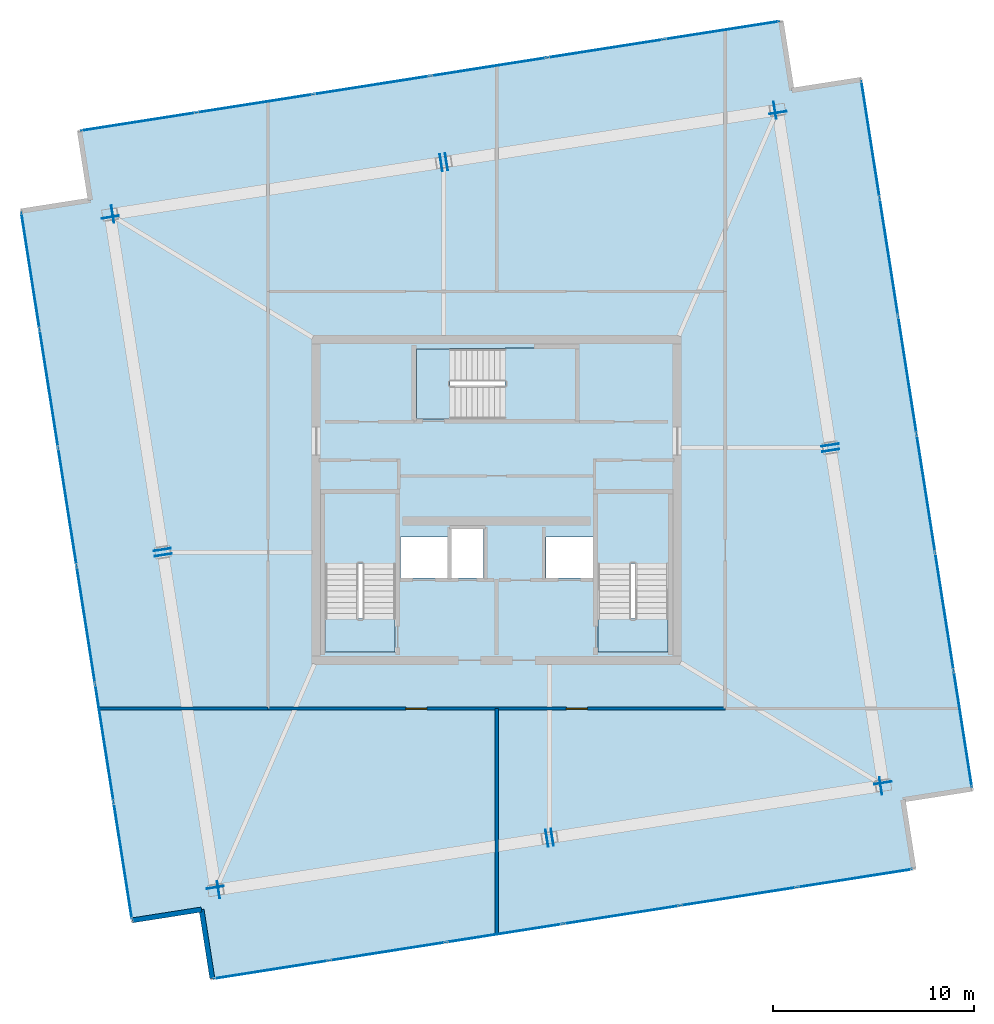
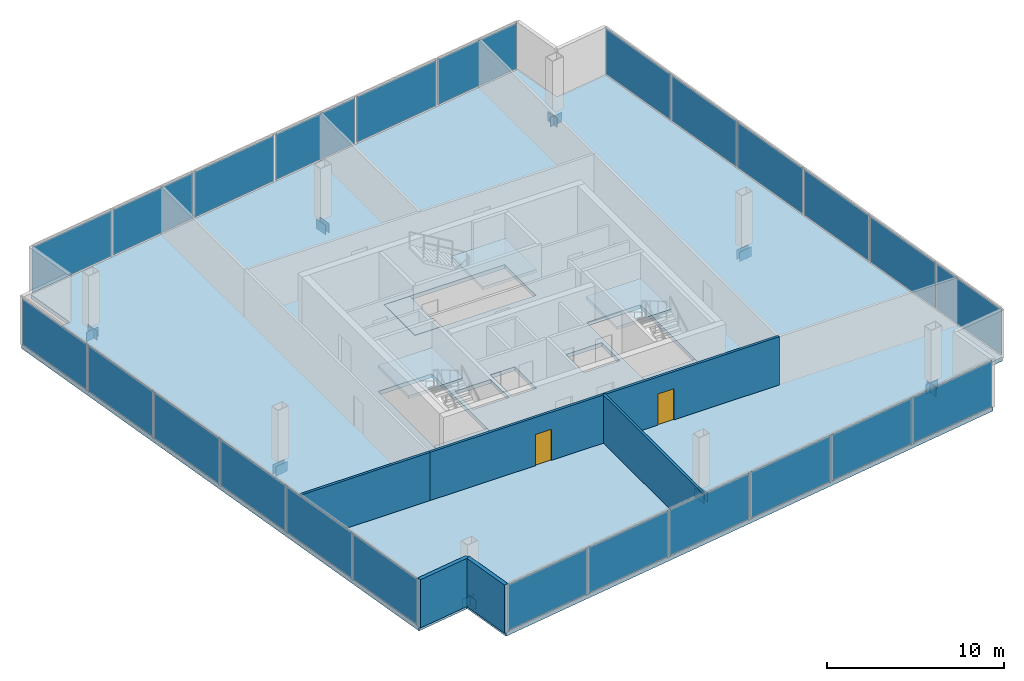
# One storey, part 14 of 17: 40 plates, 7 slabs, 5 walls, 2 doors, 2 openings, 7 elements without a shape of their own.
"""IFC4 building model written with IfcOpenShell, lengths in metres."""

from ifc_helpers import new_model, si_unit, direction, frame, frame_2d, origin, origin_2d, place, context, subcontext, project, spatial, polyline, rectangle, outline, extrude, source, transform, mapped, material, layer, layer_set, type_object, element, fill, aggregate, save


model = new_model("IFC4")

# Units and contexts
model_context = context("Model", 3, precision=1e-05, world=origin(), true_north=direction((0.0, 1.0)))
body_context = subcontext(model_context, "Body", "Model", "MODEL_VIEW")
ifc_project = project(units=[si_unit("LENGTHUNIT", "METRE"), si_unit("AREAUNIT", "SQUARE_METRE"), si_unit("VOLUMEUNIT", "CUBIC_METRE"), si_unit("PLANEANGLEUNIT", "RADIAN"), si_unit("MASSUNIT", "GRAM", prefix="KILO")], contexts=[model_context])

# Site, building, storey
site_placement = place(None, origin())
site = spatial("IfcSite", under=ifc_project, at=site_placement, CompositionType="ELEMENT")
building_placement = place(site_placement, origin())
building = spatial("IfcBuilding", under=site, at=building_placement, Name="Haldenkirk Collegiate Tower", CompositionType="ELEMENT")
storey_placement = place(building_placement, frame((0.0, 0.0, 367.800048828125)))
storey = spatial("IfcBuildingStorey", under=building, at=storey_placement, Name="L93", CompositionType="ELEMENT", Elevation=367.800048828125)

# Slab
ifc_material_1 = material(Name="Concrete f'c 40 MPa", Category="concrete")
ifc_layer_1 = layer(ifc_material_1, 0.27001953125)
ifc_layer_set_1 = layer_set([ifc_layer_1], Name="Concrete f'c 40 MPa")
slab_type_1 = type_object("IfcSlabType", Name="SLB-FLR-270", PredefinedType="FLOOR", material=ifc_layer_set_1)
slab_1_placement = place(storey_placement, frame((0.0, 0.0, -0.27001953125)))
element("IfcSlab", 1, at=slab_1_placement, inside=storey, type_object=slab_type_1, Name="L93 composite structural floor slab", PredefinedType="FLOOR", context=body_context, shape_type="SweptSolid", body=[
    extrude(outline(polyline([(59.714111328125, 11.595458984375), (54.17529296875, 46.96435546875), (50.717529296875, 46.4228515625), (50.176025390625, 49.880615234375), (15.202392578125, 44.404052734375), (15.743896484375, 40.946044921875), (12.285888671875, 40.404541015625), (17.82470703125, 5.03564453125), (21.282470703125, 5.5771484375), (21.823974609375, 2.119384765625), (56.797607421875, 7.595947265625), (56.256103515625, 11.053955078125), (59.714111328125, 11.595458984375)]), holes=[polyline([(27.449951171875, 18.39990234375), (30.949951171875, 18.39990234375), (30.949951171875, 26.300048828125), (27.449951171875, 26.300048828125), (27.449951171875, 18.39990234375)]), polyline([(41.050048828125, 18.39990234375), (44.550048828125, 18.39990234375), (44.550048828125, 26.300048828125), (41.050048828125, 26.300048828125), (41.050048828125, 18.39990234375)]), polyline([(32.0, 30.050048828125), (39.89990234375, 30.050048828125), (39.89990234375, 33.550048828125), (32.0, 33.550048828125), (32.0, 30.050048828125)]), polyline([(33.75, 22.10009765625), (35.35009765625, 22.10009765625), (35.35009765625, 24.550048828125), (33.75, 24.550048828125), (33.75, 22.10009765625)]), polyline([(31.199951171875, 22.10009765625), (33.550048828125, 22.10009765625), (33.550048828125, 24.14990234375), (31.199951171875, 24.14990234375), (31.199951171875, 22.10009765625)]), polyline([(38.449951171875, 22.10009765625), (40.800048828125, 22.10009765625), (40.800048828125, 24.14990234375), (38.449951171875, 24.14990234375), (38.449951171875, 22.10009765625)])]), origin(), (0.0, 0.0, 1.0), 0.27001953125),
])

# Stair, slab
stair_type = type_object("IfcStairType", Name="STR-DOGLEG-1650", PredefinedType="HALF_TURN_STAIR", material=ifc_material_1)
stair_1_placement = place(storey_placement, origin())
stair_1 = element("IfcStair", 2, at=stair_1_placement, inside=storey, type_object=stair_type, Name="L93 Core Exit Stair ST-1", PredefinedType="HALF_TURN_STAIR")
ifc_layer_2 = layer(ifc_material_1, 0.199951171875)
ifc_layer_set_2 = layer_set([ifc_layer_2], Name="Concrete f'c 40 MPa")
slab_type_2 = type_object("IfcSlabType", Name="SLB-LANDING-200", PredefinedType="LANDING", material=ifc_layer_set_2)
slab_2_placement = place(storey_placement, frame((0.0, 0.0, 1.599853515625)))
slab_2 = element("IfcSlab", 3, at=slab_2_placement, type_object=slab_type_2, Name="ST-1 landing 1", PredefinedType="LANDING", context=body_context, shape_type="SweptSolid", body=[
    extrude(outline(polyline([(30.97509765625, 22.824951171875), (27.425048828125, 22.824951171875), (27.425048828125, 26.324951171875), (30.97509765625, 26.324951171875), (30.97509765625, 22.824951171875)])), origin(), (0.0, 0.0, 1.0), 0.2001953125),
])
aggregate(stair_1, [slab_2])

stair_2_placement = place(storey_placement, origin())
stair_2 = element("IfcStair", 4, at=stair_2_placement, inside=storey, type_object=stair_type, Name="L93 Core Exit Stair ST-2", PredefinedType="HALF_TURN_STAIR")
slab_3_placement = place(storey_placement, frame((0.0, 0.0, 1.599853515625)))
slab_3 = element("IfcSlab", 5, at=slab_3_placement, type_object=slab_type_2, Name="ST-2 landing 1", PredefinedType="LANDING", context=body_context, shape_type="SweptSolid", body=[
    extrude(outline(polyline([(44.574951171875, 22.824951171875), (41.02490234375, 22.824951171875), (41.02490234375, 26.324951171875), (44.574951171875, 26.324951171875), (44.574951171875, 22.824951171875)])), origin(), (0.0, 0.0, 1.0), 0.2001953125),
])
aggregate(stair_2, [slab_3])

stair_3_placement = place(storey_placement, origin())
stair_3 = element("IfcStair", 6, at=stair_3_placement, inside=storey, type_object=stair_type, Name="L93 Core Exit Stair ST-3", PredefinedType="HALF_TURN_STAIR")
slab_4_placement = place(storey_placement, frame((0.0, 0.0, 1.599853515625)))
slab_4 = element("IfcSlab", 7, at=slab_4_placement, type_object=slab_type_2, Name="ST-3 landing 1", PredefinedType="LANDING", context=body_context, shape_type="SweptSolid", body=[
    extrude(outline(polyline([(36.425048828125, 30.02490234375), (36.425048828125, 33.574951171875), (39.925048828125, 33.574951171875), (39.925048828125, 30.02490234375), (36.425048828125, 30.02490234375)])), origin(), (0.0, 0.0, 1.0), 0.2001953125),
])
aggregate(stair_3, [slab_4])

# Slabs
ifc_layer_3 = layer(ifc_material_1, 0.25)
ifc_layer_set_3 = layer_set([ifc_layer_3], Name="Concrete f'c 40 MPa")
slab_type_3 = type_object("IfcSlabType", Name="SLB-STAIRLAND-250", PredefinedType="LANDING", material=ifc_layer_set_3)
slab_5_placement = place(storey_placement, frame((0.0, 0.0, -0.25)))
element("IfcSlab", 8, at=slab_5_placement, inside=storey, type_object=slab_type_3, Name="L93 stair ST1 structural floor landing slab", PredefinedType="LANDING", context=body_context, shape_type="SweptSolid", body=[
    extrude(outline(polyline([(27.4599609375, 18.409912109375), (30.93994140625, 18.409912109375), (30.93994140625, 20.080078125), (27.4599609375, 20.080078125), (27.4599609375, 18.409912109375)])), origin(), (0.0, 0.0, 1.0), 0.25),
])
slab_6_placement = place(storey_placement, frame((0.0, 0.0, -0.25)))
element("IfcSlab", 9, at=slab_6_placement, inside=storey, type_object=slab_type_3, Name="L93 stair ST2 structural floor landing slab", PredefinedType="LANDING", context=body_context, shape_type="SweptSolid", body=[
    extrude(outline(polyline([(41.06005859375, 18.409912109375), (44.5400390625, 18.409912109375), (44.5400390625, 20.080078125), (41.06005859375, 20.080078125), (41.06005859375, 18.409912109375)])), origin(), (0.0, 0.0, 1.0), 0.25),
])
slab_7_placement = place(storey_placement, frame((0.0, 0.0, -0.25)))
element("IfcSlab", 10, at=slab_7_placement, inside=storey, type_object=slab_type_3, Name="L93 stair ST3 structural floor landing slab", PredefinedType="LANDING", context=body_context, shape_type="SweptSolid", body=[
    extrude(outline(polyline([(32.010009765625, 30.06005859375), (33.679931640625, 30.06005859375), (33.679931640625, 33.5400390625), (32.010009765625, 33.5400390625), (32.010009765625, 30.06005859375)])), origin(), (0.0, 0.0, 1.0), 0.25),
])

# Plates
ifc_material_2 = material(Name="Steel ASTM A572 Grade 50", Category="steel")
ifc_layer_4 = layer(ifc_material_2, 0.034912109375)
ifc_layer_set_4 = layer_set([ifc_layer_4], Name="Steel ASTM A572 Grade 50")
plate_type_1 = type_object("IfcPlateType", Name="PLT-CAP-EXT-760X600", PredefinedType="USERDEFINED", material=ifc_layer_set_4)
shared_shape_1 = source(origin(), body_context, "Body", "SweptSolid", [
    extrude(rectangle(XDim=0.860107421875, YDim=0.659912109375, at=origin_2d()), origin(), (0.0, 0.0, 1.0), 0.034912109375),
])
for number, where, z_axis, x_axis, name in (
    (11, (55.26123046875, 11.913330078125, -0.670166015625), (0.154710964794, -0.987959775179, 0.0), (0.987959775179, 0.154710964794, 0.0), "L93 Crown Ring Frame perimeter girder 1 end cap plate 1"),
    (12, (52.6708984375, 28.45556640625, -0.670166015625), (-0.154710964794, 0.987959775179, 0.0), (-0.987959775179, -0.154710964794, 0.0), "L93 Crown Ring Frame perimeter girder 1 end cap plate 2"),
    (13, (52.62353515625, 28.758056640625, -0.670166015625), (0.154710964794, -0.987959775179, 0.0), (0.987959775179, 0.154710964794, 0.0), "L93 Crown Ring Frame perimeter girder 2 end cap plate 1"),
    (14, (50.032958984375, 45.30029296875, -0.670166015625), (-0.154710964794, 0.987959775179, 0.0), (-0.987959775179, -0.154710964794, 0.0), "L93 Crown Ring Frame perimeter girder 2 end cap plate 2"),
    (15, (49.858154296875, 45.427978515625, -0.670166015625), (0.987959445545, 0.154713069772, 0.0), (-0.154713069772, 0.987959445545, 0.0), "L93 Crown Ring Frame perimeter girder 3 end cap plate 1"),
    (16, (33.513427734375, 42.868408203125, -0.670166015625), (-0.987959445545, -0.154713069772, 0.0), (0.154713069772, -0.987959445545, 0.0), "L93 Crown Ring Frame perimeter girder 3 end cap plate 2"),
    (17, (33.2109375, 42.821044921875, -0.670166015625), (0.987959445545, 0.154713069772, 0.0), (-0.154713069772, 0.987959445545, 0.0), "L93 Crown Ring Frame perimeter girder 4 end cap plate 1"),
    (18, (16.866455078125, 40.261474609375, -0.670166015625), (-0.987959445545, -0.154713069772, 0.0), (0.154713069772, -0.987959445545, 0.0), "L93 Crown Ring Frame perimeter girder 4 end cap plate 2"),
    (19, (16.73876953125, 40.086669921875, -0.670166015625), (-0.154710964794, 0.987959775179, 0.0), (-0.987959775179, -0.154710964794, 0.0), "L93 Crown Ring Frame perimeter girder 5 end cap plate 1"),
    (20, (19.3291015625, 23.54443359375, -0.670166015625), (0.154710964794, -0.987959775179, 0.0), (0.987959775179, 0.154710964794, 0.0), "L93 Crown Ring Frame perimeter girder 5 end cap plate 2"),
    (21, (19.37646484375, 23.241943359375, -0.670166015625), (-0.154710964794, 0.987959775179, 0.0), (-0.987959775179, -0.154710964794, 0.0), "L93 Crown Ring Frame perimeter girder 6 end cap plate 1"),
    (22, (21.967041015625, 6.69970703125, -0.670166015625), (0.154710964794, -0.987959775179, 0.0), (0.987959775179, 0.154710964794, 0.0), "L93 Crown Ring Frame perimeter girder 6 end cap plate 2"),
    (23, (22.141845703125, 6.572021484375, -0.670166015625), (-0.987959445545, -0.154713069772, 0.0), (0.154713069772, -0.987959445545, 0.0), "L93 Crown Ring Frame perimeter girder 7 end cap plate 1"),
    (24, (38.486572265625, 9.131591796875, -0.670166015625), (0.987959445545, 0.154713069772, 0.0), (-0.154713069772, 0.987959445545, 0.0), "L93 Crown Ring Frame perimeter girder 7 end cap plate 2"),
    (25, (38.7890625, 9.178955078125, -0.670166015625), (-0.987959445545, -0.154713069772, 0.0), (0.154713069772, -0.987959445545, 0.0), "L93 Crown Ring Frame perimeter girder 8 end cap plate 1"),
    (26, (55.133544921875, 11.738525390625, -0.670166015625), (0.987959445545, 0.154713069772, 0.0), (-0.154713069772, 0.987959445545, 0.0), "L93 Crown Ring Frame perimeter girder 8 end cap plate 2"),
):
    element("IfcPlate", number, at=place(storey_placement, frame(where, z_axis=z_axis, x_axis=x_axis)), inside=storey, type_object=plate_type_1, Name=name, ObjectType="END CAP PLATE", PredefinedType="USERDEFINED", context=body_context, shape_type="MappedRepresentation", body=[
        mapped(shared_shape_1, transform((0.0, 0.0, 0.0), x_axis=(1.0, 0.0, 0.0), y_axis=(0.0, 1.0, 0.0), z_axis=(0.0, 0.0, 1.0), scale=1.0)),
    ])

# Curtain wall, plates
ifc_material_3 = material(Name="Anodised architectural bronze aluminium", Category="aluminium")
curtain_wall_type = type_object("IfcCurtainWallType", Name="CW-SYS6-CROWN", PredefinedType="USERDEFINED", material=ifc_material_3)
curtain_wall_1_placement = place(storey_placement, origin())
curtain_wall_1 = element("IfcCurtainWall", 27, at=curtain_wall_1_placement, inside=storey, type_object=curtain_wall_type, Name="L93 Closed crown ring ceramic-fritted bronze screen curtain wall", ObjectType="UNITISED CURTAIN WALL", PredefinedType="USERDEFINED")
ifc_material_4 = material(Name="Ceramic-fritted bronze triple glass", Category="glass")
ifc_layer_5 = layer(ifc_material_4, 0.0400390625)
ifc_layer_set_5 = layer_set([ifc_layer_5], Name="Ceramic-fritted bronze triple glass")
plate_type_2 = type_object("IfcPlateType", Name="CW-PNL-06", PredefinedType="CURTAIN_PANEL", material=ifc_layer_set_5)
shared_shape_2 = source(origin(), body_context, "Body", "SweptSolid", [
    extrude(rectangle(XDim=5.83154296875, YDim=0.0400390625, at=origin_2d()), origin(), (0.0, 0.0, 1.0), 3.14990234375),
])
plate_1_placement = place(storey_placement, frame((54.640380859375, 43.99462890625, 0.090087890625), z_axis=(0.0, 0.0, 1.0), x_axis=(0.154712514742, -0.987959532462, 0.0)))
plate_1 = element("IfcPlate", 28, at=plate_1_placement, type_object=plate_type_2, Name="CW-06 panel 1.1", PredefinedType="CURTAIN_PANEL", context=body_context, shape_type="MappedRepresentation", body=[
    mapped(shared_shape_2, transform((0.0, 0.0, 0.0), x_axis=(1.0, 0.0, 0.0), y_axis=(0.0, 1.0, 0.0), z_axis=(0.0, 0.0, 1.0), scale=1.0)),
])
plate_2_placement = place(storey_placement, frame((59.2490234375, 14.56494140625, 0.090087890625), z_axis=(0.0, 0.0, 1.0), x_axis=(0.154712514742, -0.987959532462, 0.0)))
plate_2 = element("IfcPlate", 29, at=plate_2_placement, type_object=plate_type_2, Name="CW-06 panel 6.1", PredefinedType="CURTAIN_PANEL", context=body_context, shape_type="MappedRepresentation", body=[
    mapped(shared_shape_2, transform((0.0, 0.0, 0.0), x_axis=(1.0, 0.0, 0.0), y_axis=(0.0, 1.0, 0.0), z_axis=(0.0, 0.0, 1.0), scale=1.0)),
])

curtain_wall_2_placement = place(storey_placement, origin())
curtain_wall_2 = element("IfcCurtainWall", 30, at=curtain_wall_2_placement, inside=storey, type_object=curtain_wall_type, Name="L93 Closed crown ring ceramic-fritted bronze screen curtain wall", ObjectType="UNITISED CURTAIN WALL", PredefinedType="USERDEFINED")
plate_3_placement = place(storey_placement, frame((17.359619140625, 8.00537109375, 0.090087890625), z_axis=(0.0, 0.0, 1.0), x_axis=(-0.154712514742, 0.987959532462, 0.0)))
plate_3 = element("IfcPlate", 31, at=plate_3_placement, type_object=plate_type_2, Name="CW-06 panel 1.1", PredefinedType="CURTAIN_PANEL", context=body_context, shape_type="MappedRepresentation", body=[
    mapped(shared_shape_2, transform((0.0, 0.0, 0.0), x_axis=(1.0, 0.0, 0.0), y_axis=(0.0, 1.0, 0.0), z_axis=(0.0, 0.0, 1.0), scale=1.0)),
])
plate_4_placement = place(storey_placement, frame((12.7509765625, 37.43505859375, 0.090087890625), z_axis=(0.0, 0.0, 1.0), x_axis=(-0.154712514742, 0.987959532462, 0.0)))
plate_4 = element("IfcPlate", 32, at=plate_4_placement, type_object=plate_type_2, Name="CW-06 panel 6.1", PredefinedType="CURTAIN_PANEL", context=body_context, shape_type="MappedRepresentation", body=[
    mapped(shared_shape_2, transform((0.0, 0.0, 0.0), x_axis=(1.0, 0.0, 0.0), y_axis=(0.0, 1.0, 0.0), z_axis=(0.0, 0.0, 1.0), scale=1.0)),
])

# Plate
shared_shape_3 = source(origin(), body_context, "Body", "SweptSolid", [
    extrude(rectangle(XDim=5.876708984375, YDim=0.0400390625, at=origin_2d()), origin(), (0.0, 0.0, 1.0), 3.14990234375),
])
plate_5_placement = place(storey_placement, frame((55.56005859375, 38.1220703125, 0.090087890625), z_axis=(0.0, 0.0, 1.0), x_axis=(0.154712514742, -0.987959532462, 0.0)))
plate_5 = element("IfcPlate", 33, at=plate_5_placement, type_object=plate_type_2, Name="CW-06 panel 2.1", PredefinedType="CURTAIN_PANEL", context=body_context, shape_type="MappedRepresentation", body=[
    mapped(shared_shape_3, transform((0.0, 0.0, 0.0), x_axis=(1.0, 0.0, 0.0), y_axis=(0.0, 1.0, 0.0), z_axis=(0.0, 0.0, 1.0), scale=1.0)),
])

plate_6_placement = place(storey_placement, frame((56.483154296875, 32.227294921875, 0.090087890625), z_axis=(0.0, 0.0, 1.0), x_axis=(0.154712514742, -0.987959532462, 0.0)))
plate_6 = element("IfcPlate", 34, at=plate_6_placement, type_object=plate_type_2, Name="CW-06 panel 3.1", PredefinedType="CURTAIN_PANEL", context=body_context, shape_type="MappedRepresentation", body=[
    mapped(shared_shape_3, transform((0.0, 0.0, 0.0), x_axis=(1.0, 0.0, 0.0), y_axis=(0.0, 1.0, 0.0), z_axis=(0.0, 0.0, 1.0), scale=1.0)),
])

plate_7_placement = place(storey_placement, frame((57.40625, 26.33251953125, 0.090087890625), z_axis=(0.0, 0.0, 1.0), x_axis=(0.154712514742, -0.987959532462, 0.0)))
plate_7 = element("IfcPlate", 35, at=plate_7_placement, type_object=plate_type_2, Name="CW-06 panel 4.1", PredefinedType="CURTAIN_PANEL", context=body_context, shape_type="MappedRepresentation", body=[
    mapped(shared_shape_3, transform((0.0, 0.0, 0.0), x_axis=(1.0, 0.0, 0.0), y_axis=(0.0, 1.0, 0.0), z_axis=(0.0, 0.0, 1.0), scale=1.0)),
])

plate_8_placement = place(storey_placement, frame((58.329345703125, 20.437744140625, 0.090087890625), z_axis=(0.0, 0.0, 1.0), x_axis=(0.154712514742, -0.987959532462, 0.0)))
plate_8 = element("IfcPlate", 36, at=plate_8_placement, type_object=plate_type_2, Name="CW-06 panel 5.1", PredefinedType="CURTAIN_PANEL", context=body_context, shape_type="MappedRepresentation", body=[
    mapped(shared_shape_3, transform((0.0, 0.0, 0.0), x_axis=(1.0, 0.0, 0.0), y_axis=(0.0, 1.0, 0.0), z_axis=(0.0, 0.0, 1.0), scale=1.0)),
])

aggregate(curtain_wall_1, [plate_1, plate_5, plate_6, plate_7, plate_8, plate_2])

plate_9_placement = place(storey_placement, frame((16.43994140625, 13.8779296875, 0.090087890625), z_axis=(0.0, 0.0, 1.0), x_axis=(-0.154712514742, 0.987959532462, 0.0)))
plate_9 = element("IfcPlate", 37, at=plate_9_placement, type_object=plate_type_2, Name="CW-06 panel 2.1", PredefinedType="CURTAIN_PANEL", context=body_context, shape_type="MappedRepresentation", body=[
    mapped(shared_shape_3, transform((0.0, 0.0, 0.0), x_axis=(1.0, 0.0, 0.0), y_axis=(0.0, 1.0, 0.0), z_axis=(0.0, 0.0, 1.0), scale=1.0)),
])

plate_10_placement = place(storey_placement, frame((15.516845703125, 19.772705078125, 0.090087890625), z_axis=(0.0, 0.0, 1.0), x_axis=(-0.154712514742, 0.987959532462, 0.0)))
plate_10 = element("IfcPlate", 38, at=plate_10_placement, type_object=plate_type_2, Name="CW-06 panel 3.1", PredefinedType="CURTAIN_PANEL", context=body_context, shape_type="MappedRepresentation", body=[
    mapped(shared_shape_3, transform((0.0, 0.0, 0.0), x_axis=(1.0, 0.0, 0.0), y_axis=(0.0, 1.0, 0.0), z_axis=(0.0, 0.0, 1.0), scale=1.0)),
])

plate_11_placement = place(storey_placement, frame((14.59375, 25.66748046875, 0.090087890625), z_axis=(0.0, 0.0, 1.0), x_axis=(-0.154712514742, 0.987959532462, 0.0)))
plate_11 = element("IfcPlate", 39, at=plate_11_placement, type_object=plate_type_2, Name="CW-06 panel 4.1", PredefinedType="CURTAIN_PANEL", context=body_context, shape_type="MappedRepresentation", body=[
    mapped(shared_shape_3, transform((0.0, 0.0, 0.0), x_axis=(1.0, 0.0, 0.0), y_axis=(0.0, 1.0, 0.0), z_axis=(0.0, 0.0, 1.0), scale=1.0)),
])

plate_12_placement = place(storey_placement, frame((13.670654296875, 31.562255859375, 0.090087890625), z_axis=(0.0, 0.0, 1.0), x_axis=(-0.154712514742, 0.987959532462, 0.0)))
plate_12 = element("IfcPlate", 40, at=plate_12_placement, type_object=plate_type_2, Name="CW-06 panel 5.1", PredefinedType="CURTAIN_PANEL", context=body_context, shape_type="MappedRepresentation", body=[
    mapped(shared_shape_3, transform((0.0, 0.0, 0.0), x_axis=(1.0, 0.0, 0.0), y_axis=(0.0, 1.0, 0.0), z_axis=(0.0, 0.0, 1.0), scale=1.0)),
])

aggregate(curtain_wall_2, [plate_3, plate_9, plate_10, plate_11, plate_12, plate_4])

# Curtain wall, plates
curtain_wall_3_placement = place(storey_placement, origin())
curtain_wall_3 = element("IfcCurtainWall", 41, at=curtain_wall_3_placement, inside=storey, type_object=curtain_wall_type, Name="L93 Closed crown ring ceramic-fritted bronze screen curtain wall", ObjectType="UNITISED CURTAIN WALL", PredefinedType="USERDEFINED")
shared_shape_4 = source(origin(), body_context, "Body", "SweptSolid", [
    extrude(rectangle(XDim=5.764892578125, YDim=0.0400390625, at=origin_2d()), origin(), (0.0, 0.0, 1.0), 3.14990234375),
])
plate_13_placement = place(storey_placement, frame((18.138916015625, 44.86376953125, 0.090087890625), z_axis=(0.0, 0.0, 1.0), x_axis=(0.987960085646, 0.154708982189, 0.0)))
plate_13 = element("IfcPlate", 42, at=plate_13_placement, type_object=plate_type_2, Name="CW-06 panel 1.1", PredefinedType="CURTAIN_PANEL", context=body_context, shape_type="MappedRepresentation", body=[
    mapped(shared_shape_4, transform((0.0, 0.0, 0.0), x_axis=(1.0, 0.0, 0.0), y_axis=(0.0, 1.0, 0.0), z_axis=(0.0, 0.0, 1.0), scale=1.0)),
])
plate_14_placement = place(storey_placement, frame((47.239501953125, 49.4208984375, 0.090087890625), z_axis=(0.0, 0.0, 1.0), x_axis=(0.987960085646, 0.154708982189, 0.0)))
plate_14 = element("IfcPlate", 43, at=plate_14_placement, type_object=plate_type_2, Name="CW-06 panel 6.1", PredefinedType="CURTAIN_PANEL", context=body_context, shape_type="MappedRepresentation", body=[
    mapped(shared_shape_4, transform((0.0, 0.0, 0.0), x_axis=(1.0, 0.0, 0.0), y_axis=(0.0, 1.0, 0.0), z_axis=(0.0, 0.0, 1.0), scale=1.0)),
])

curtain_wall_4_placement = place(storey_placement, origin())
curtain_wall_4 = element("IfcCurtainWall", 44, at=curtain_wall_4_placement, inside=storey, type_object=curtain_wall_type, Name="L93 Closed crown ring ceramic-fritted bronze screen curtain wall", ObjectType="UNITISED CURTAIN WALL", PredefinedType="USERDEFINED")
plate_15_placement = place(storey_placement, frame((53.861083984375, 7.13623046875, 0.090087890625), z_axis=(0.0, 0.0, 1.0), x_axis=(-0.987960085646, -0.154708982189, 0.0)))
plate_15 = element("IfcPlate", 45, at=plate_15_placement, type_object=plate_type_2, Name="CW-06 panel 1.1", PredefinedType="CURTAIN_PANEL", context=body_context, shape_type="MappedRepresentation", body=[
    mapped(shared_shape_4, transform((0.0, 0.0, 0.0), x_axis=(1.0, 0.0, 0.0), y_axis=(0.0, 1.0, 0.0), z_axis=(0.0, 0.0, 1.0), scale=1.0)),
])
plate_16_placement = place(storey_placement, frame((24.760498046875, 2.5791015625, 0.090087890625), z_axis=(0.0, 0.0, 1.0), x_axis=(-0.987960085646, -0.154708982189, 0.0)))
plate_16 = element("IfcPlate", 46, at=plate_16_placement, type_object=plate_type_2, Name="CW-06 panel 6.1", PredefinedType="CURTAIN_PANEL", context=body_context, shape_type="MappedRepresentation", body=[
    mapped(shared_shape_4, transform((0.0, 0.0, 0.0), x_axis=(1.0, 0.0, 0.0), y_axis=(0.0, 1.0, 0.0), z_axis=(0.0, 0.0, 1.0), scale=1.0)),
])

# Plate
shared_shape_5 = source(origin(), body_context, "Body", "SweptSolid", [
    extrude(rectangle(XDim=5.81005859375, YDim=0.0400390625, at=origin_2d()), origin(), (0.0, 0.0, 1.0), 3.14990234375),
])
plate_17_placement = place(storey_placement, frame((23.94580078125, 45.773193359375, 0.090087890625), z_axis=(0.0, 0.0, 1.0), x_axis=(0.987960085646, 0.154708982189, 0.0)))
plate_17 = element("IfcPlate", 47, at=plate_17_placement, type_object=plate_type_2, Name="CW-06 panel 2.1", PredefinedType="CURTAIN_PANEL", context=body_context, shape_type="MappedRepresentation", body=[
    mapped(shared_shape_5, transform((0.0, 0.0, 0.0), x_axis=(1.0, 0.0, 0.0), y_axis=(0.0, 1.0, 0.0), z_axis=(0.0, 0.0, 1.0), scale=1.0)),
])

plate_18_placement = place(storey_placement, frame((29.774658203125, 46.68603515625, 0.090087890625), z_axis=(0.0, 0.0, 1.0), x_axis=(0.987960085646, 0.154708982189, 0.0)))
plate_18 = element("IfcPlate", 48, at=plate_18_placement, type_object=plate_type_2, Name="CW-06 panel 3.1", PredefinedType="CURTAIN_PANEL", context=body_context, shape_type="MappedRepresentation", body=[
    mapped(shared_shape_5, transform((0.0, 0.0, 0.0), x_axis=(1.0, 0.0, 0.0), y_axis=(0.0, 1.0, 0.0), z_axis=(0.0, 0.0, 1.0), scale=1.0)),
])

plate_19_placement = place(storey_placement, frame((35.603759765625, 47.5986328125, 0.090087890625), z_axis=(0.0, 0.0, 1.0), x_axis=(0.987960085646, 0.154708982189, 0.0)))
plate_19 = element("IfcPlate", 49, at=plate_19_placement, type_object=plate_type_2, Name="CW-06 panel 4.1", PredefinedType="CURTAIN_PANEL", context=body_context, shape_type="MappedRepresentation", body=[
    mapped(shared_shape_5, transform((0.0, 0.0, 0.0), x_axis=(1.0, 0.0, 0.0), y_axis=(0.0, 1.0, 0.0), z_axis=(0.0, 0.0, 1.0), scale=1.0)),
])

plate_20_placement = place(storey_placement, frame((41.4326171875, 48.511474609375, 0.090087890625), z_axis=(0.0, 0.0, 1.0), x_axis=(0.987960085646, 0.154708982189, 0.0)))
plate_20 = element("IfcPlate", 50, at=plate_20_placement, type_object=plate_type_2, Name="CW-06 panel 5.1", PredefinedType="CURTAIN_PANEL", context=body_context, shape_type="MappedRepresentation", body=[
    mapped(shared_shape_5, transform((0.0, 0.0, 0.0), x_axis=(1.0, 0.0, 0.0), y_axis=(0.0, 1.0, 0.0), z_axis=(0.0, 0.0, 1.0), scale=1.0)),
])

aggregate(curtain_wall_3, [plate_13, plate_17, plate_18, plate_19, plate_20, plate_14])

plate_21_placement = place(storey_placement, frame((48.05419921875, 6.226806640625, 0.090087890625), z_axis=(0.0, 0.0, 1.0), x_axis=(-0.987960085646, -0.154708982189, 0.0)))
plate_21 = element("IfcPlate", 51, at=plate_21_placement, type_object=plate_type_2, Name="CW-06 panel 2.1", PredefinedType="CURTAIN_PANEL", context=body_context, shape_type="MappedRepresentation", body=[
    mapped(shared_shape_5, transform((0.0, 0.0, 0.0), x_axis=(1.0, 0.0, 0.0), y_axis=(0.0, 1.0, 0.0), z_axis=(0.0, 0.0, 1.0), scale=1.0)),
])

plate_22_placement = place(storey_placement, frame((42.225341796875, 5.31396484375, 0.090087890625), z_axis=(0.0, 0.0, 1.0), x_axis=(-0.987960085646, -0.154708982189, 0.0)))
plate_22 = element("IfcPlate", 52, at=plate_22_placement, type_object=plate_type_2, Name="CW-06 panel 3.1", PredefinedType="CURTAIN_PANEL", context=body_context, shape_type="MappedRepresentation", body=[
    mapped(shared_shape_5, transform((0.0, 0.0, 0.0), x_axis=(1.0, 0.0, 0.0), y_axis=(0.0, 1.0, 0.0), z_axis=(0.0, 0.0, 1.0), scale=1.0)),
])

plate_23_placement = place(storey_placement, frame((36.396240234375, 4.4013671875, 0.090087890625), z_axis=(0.0, 0.0, 1.0), x_axis=(-0.987960085646, -0.154708982189, 0.0)))
plate_23 = element("IfcPlate", 53, at=plate_23_placement, type_object=plate_type_2, Name="CW-06 panel 4.1", PredefinedType="CURTAIN_PANEL", context=body_context, shape_type="MappedRepresentation", body=[
    mapped(shared_shape_5, transform((0.0, 0.0, 0.0), x_axis=(1.0, 0.0, 0.0), y_axis=(0.0, 1.0, 0.0), z_axis=(0.0, 0.0, 1.0), scale=1.0)),
])

plate_24_placement = place(storey_placement, frame((30.5673828125, 3.488525390625, 0.090087890625), z_axis=(0.0, 0.0, 1.0), x_axis=(-0.987960085646, -0.154708982189, 0.0)))
plate_24 = element("IfcPlate", 54, at=plate_24_placement, type_object=plate_type_2, Name="CW-06 panel 5.1", PredefinedType="CURTAIN_PANEL", context=body_context, shape_type="MappedRepresentation", body=[
    mapped(shared_shape_5, transform((0.0, 0.0, 0.0), x_axis=(1.0, 0.0, 0.0), y_axis=(0.0, 1.0, 0.0), z_axis=(0.0, 0.0, 1.0), scale=1.0)),
])

aggregate(curtain_wall_4, [plate_15, plate_21, plate_22, plate_23, plate_24, plate_16])

# Walls
ifc_material_5 = material(Name="Precast concrete f'c 40 MPa", Category="concrete")
ifc_layer_6 = layer(ifc_material_5, 0.25)
ifc_layer_set_6 = layer_set([ifc_layer_6], Name="Precast concrete f'c 40 MPa")
wall_type_1 = type_object("IfcWallType", Name="WL-EXT-CRN-250", PredefinedType="STANDARD", material=ifc_layer_set_6)
for number, where, z_axis, x_axis, name in (
    (55, (21.282470703125, 5.5771484375, 0.0), (0.0, 0.0, 1.0), (-0.987958443543, -0.154719468176, 0.0), "L93 crown bronze precast enclosure wall 08"),
    (56, (21.823974609375, 2.119384765625, 0.0), (0.0, 0.0, 1.0), (-0.154719468176, 0.987958443543, 0.0), "L93 crown bronze precast enclosure wall 09"),
):
    element("IfcWall", number, at=place(storey_placement, frame(where, z_axis=z_axis, x_axis=x_axis)), inside=storey, type_object=wall_type_1, Name=name, PredefinedType="STANDARD", context=body_context, shape_type="SweptSolid", body=[
        extrude(rectangle(XDim=3.5, YDim=0.25, at=frame_2d((1.75, 0.0))), origin(), (0.0, 0.0, 1.0), 3.329833984375),
    ])

# Wall, openings, doors
ifc_material_6 = material(Name="Acoustic fire-rated gypsum partition", Category="concrete")
ifc_layer_7 = layer(ifc_material_6, 0.159912109375)
ifc_layer_set_7 = layer_set([ifc_layer_7], Name="Acoustic fire-rated gypsum partition")
wall_type_2 = type_object("IfcWallType", Name="WL-INT-CORR-160", PredefinedType="PARTITIONING", material=ifc_layer_set_7)
wall_1_placement = place(storey_placement, frame((24.60009765625, 15.60009765625, 0.0), z_axis=(0.0, 0.0, 1.0), x_axis=(1.0, 0.0, 0.0)))
wall_1 = element("IfcWall", 57, at=wall_1_placement, inside=storey, type_object=wall_type_2, Name="L93 interior partition IW-L93-CS", PredefinedType="PARTITIONING", context=body_context, shape_type="SweptSolid", body=[
    extrude(rectangle(XDim=22.7998046875, YDim=0.159912109375, at=frame_2d((11.39990234375, 0.0))), origin(), (0.0, 0.0, 1.0), 3.329833984375),
])
opening_1_placement = place(wall_1_placement, frame((6.875, 0.0, 0.0)))
opening_1 = element("IfcOpeningElement", 58, at=opening_1_placement, cuts=wall_1, Name="Opening D-09", PredefinedType="OPENING", context=body_context, shape_type="SweptSolid", body=[
    extrude(rectangle(XDim=1.050048828125, YDim=2.14990234375, at=frame_2d((0.52490234375, 1.074951171875))), frame((0.0, 0.08984375, 0.0), z_axis=(0.0, -1.0, 0.0), x_axis=(1.0, 0.0, 0.0)), (0.0, 0.0, 1.0), 0.179931640625),
])
opening_2_placement = place(wall_1_placement, frame((14.875, 0.0, 0.0)))
opening_2 = element("IfcOpeningElement", 59, at=opening_2_placement, cuts=wall_1, Name="Opening D-09", PredefinedType="OPENING", context=body_context, shape_type="SweptSolid", body=[
    extrude(rectangle(XDim=1.050048828125, YDim=2.14990234375, at=frame_2d((0.52490234375, 1.074951171875))), frame((0.0, 0.08984375, 0.0), z_axis=(0.0, -1.0, 0.0), x_axis=(1.0, 0.0, 0.0)), (0.0, 0.0, 1.0), 0.179931640625),
])
ifc_material_7 = material(Name="Solid-core architectural oak fire door", Category="wood")
ifc_layer_8 = layer(ifc_material_7, 0.06005859375)
ifc_layer_set_8 = layer_set([ifc_layer_8], Name="Solid-core architectural oak fire door")
door_type = type_object("IfcDoorType", Name="DR-INT-FD60-1050", OperationType="NOTDEFINED", PredefinedType="DOOR", material=ifc_layer_set_8)
door_1_placement = place(opening_1_placement, origin())
door_1 = element("IfcDoor", 60, at=door_1_placement, inside=storey, type_object=door_type, Name="L93 crown SW plant door", OperationType="SINGLE_SWING_RIGHT", OverallHeight=2.14990234375, OverallWidth=1.050048828125, PredefinedType="DOOR", context=body_context, shape_type="SweptSolid", body=[
    extrude(rectangle(XDim=1.050048828125, YDim=2.14990234375, at=frame_2d((0.52490234375, 1.074951171875))), frame((0.0, 0.02490234375, 0.0), z_axis=(0.0, -1.0, 0.0), x_axis=(1.0, 0.0, 0.0)), (0.0, 0.0, 1.0), 0.050048828125),
])
fill(opening_1, door_1)
door_2_placement = place(opening_2_placement, origin())
door_2 = element("IfcDoor", 61, at=door_2_placement, inside=storey, type_object=door_type, Name="L93 crown SE plant door", OperationType="SINGLE_SWING_LEFT", OverallHeight=2.14990234375, OverallWidth=1.050048828125, PredefinedType="DOOR", context=body_context, shape_type="SweptSolid", body=[
    extrude(rectangle(XDim=1.050048828125, YDim=2.14990234375, at=frame_2d((0.52490234375, 1.074951171875))), frame((0.0, 0.02490234375, 0.0), z_axis=(0.0, -1.0, 0.0), x_axis=(1.0, 0.0, 0.0)), (0.0, 0.0, 1.0), 0.050048828125),
])
fill(opening_2, door_2)

# Walls
wall_2_placement = place(storey_placement, frame((36.0, 4.379638671875, 0.0), z_axis=(0.0, 0.0, 1.0), x_axis=(0.0, 1.0, 0.0)))
element("IfcWall", 62, at=wall_2_placement, inside=storey, type_object=wall_type_2, Name="L93 interior partition IW-L93-D1", PredefinedType="PARTITIONING", context=body_context, shape_type="SweptSolid", body=[
    extrude(rectangle(XDim=11.220458984375, YDim=0.159912109375, at=frame_2d((5.6103515625, 0.0))), origin(), (0.0, 0.0, 1.0), 3.329833984375),
])
wall_3_placement = place(storey_placement, frame((16.210693359375, 15.60009765625, 0.0), z_axis=(0.0, 0.0, 1.0), x_axis=(1.0, 0.0, 0.0)))
element("IfcWall", 63, at=wall_3_placement, inside=storey, type_object=wall_type_2, Name="L93 interior partition IW-L93-D3", PredefinedType="PARTITIONING", context=body_context, shape_type="SweptSolid", body=[
    extrude(rectangle(XDim=8.389404296875, YDim=0.159912109375, at=frame_2d((4.19482421875, 0.0))), origin(), (0.0, 0.0, 1.0), 3.329833984375),
])

save(model, "model.ifc")
